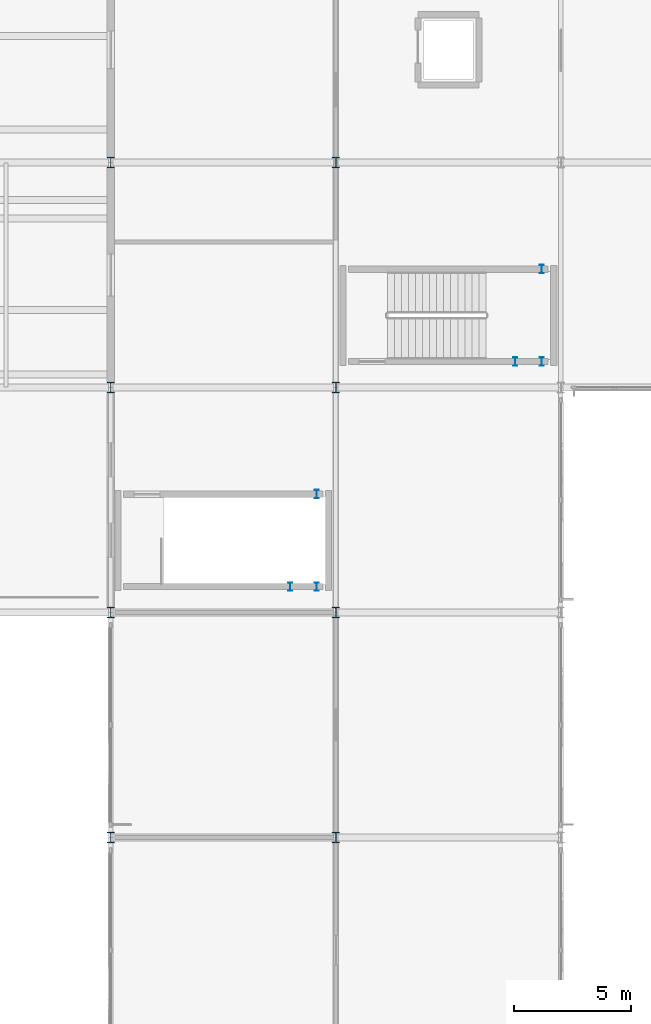
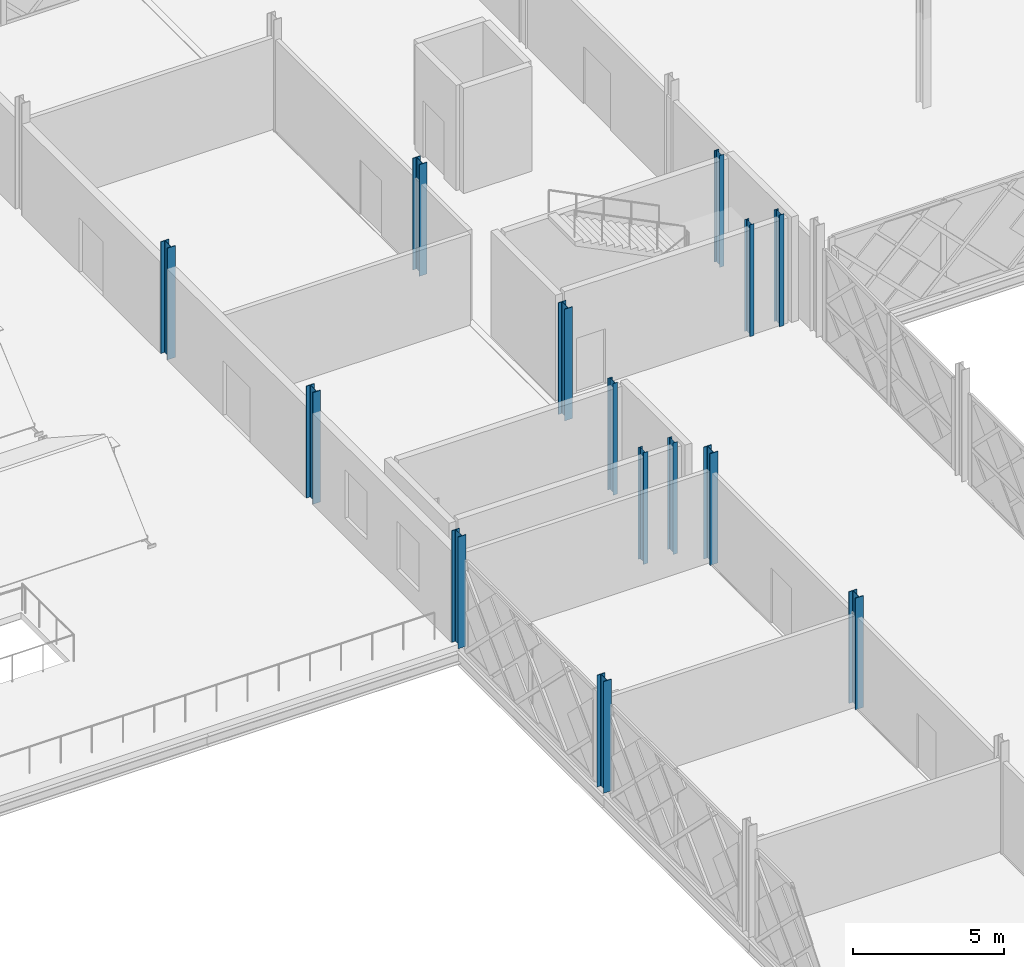
# One storey, part 10 of 101: 14 columns.
"""IFC4 building model written with IfcOpenShell, lengths in metres."""

import ifcopenshell
import ifcopenshell.guid

model = None  # the IFC model being written
_history = None  # IfcOwnerHistory: only IFC2X3 demands one
_inside = {}  # id of a spatial element -> (the spatial element, [elements in it])
_under = {}  # id of a project, library or spatial element -> (it, [spatial elements below it])
_declared = {}  # id of a project -> (the project, [libraries it declares])
_typed = {}  # id of a type object -> (the type object, [elements of that type])
_made_of = {}  # id of a material, layer set ... -> (it, [elements and type objects made of it])


def new_model(schema):
    """Start an empty IFC model of exactly this schema.

    Asked for "IFC4X3", IfcOpenShell would pick the latest addendum, in which some entities
    have other attributes; the version numbers below select the first issue.
    IFC2X3 requires an IfcOwnerHistory on every rooted entity: one is made here for all.
    """
    global model, _history
    if schema == "IFC4X3":
        model = ifcopenshell.file(schema_version=(4, 3, 0, 0))
    else:
        model = ifcopenshell.file(schema=schema)
    _inside.clear()
    _under.clear()
    _declared.clear()
    _typed.clear()
    _made_of.clear()
    _history = None
    if model.schema == "IFC2X3":
        org = make("IfcOrganization", Name="unknown")
        user = make(
            "IfcPersonAndOrganization",
            ThePerson=make("IfcPerson", FamilyName="unknown"),
            TheOrganization=org,
        )
        app = make(
            "IfcApplication",
            ApplicationDeveloper=org,
            Version="unknown",
            ApplicationFullName="unknown",
            ApplicationIdentifier="unknown",
        )
        _history = make(
            "IfcOwnerHistory",
            OwningUser=user,
            OwningApplication=app,
            ChangeAction="ADDED",
            CreationDate=0,
        )
    return model


def make(cls, **values):
    """One entity of the class cls with the attributes given. An attribute that is None is left unset."""
    return model.create_entity(
        cls, **{name: value for name, value in values.items() if value is not None}
    )


def rooted(cls, **values):
    """An entity with a GlobalId (a new one), such as an element, a storey or a relation."""
    return make(cls, GlobalId=ifcopenshell.guid.new(), OwnerHistory=_history, **values)


def si_unit(unit_type, name, prefix=None):
    """IfcSIUnit, for example si_unit("LENGTHUNIT", "METRE", prefix="MILLI")."""
    return make("IfcSIUnit", UnitType=unit_type, Prefix=prefix, Name=name)


def assignment(units):
    """IfcUnitAssignment: the units of a project."""
    return None if units is None else make("IfcUnitAssignment", Units=units)


def point(xyz):
    """IfcCartesianPoint."""
    return None if xyz is None else make("IfcCartesianPoint", Coordinates=xyz)


def direction(xyz):
    """IfcDirection."""
    return None if xyz is None else make("IfcDirection", DirectionRatios=xyz)


def frame(location, z_axis=None, x_axis=None):
    """IfcAxis2Placement3D, a coordinate frame: its origin and axes. An axis left out is left unset."""
    return make(
        "IfcAxis2Placement3D",
        Location=point(location),
        Axis=direction(z_axis),
        RefDirection=direction(x_axis),
    )


def frame_2d(location, x_axis=None):
    """IfcAxis2Placement2D, a coordinate frame in the plane: its origin and x axis."""
    return make(
        "IfcAxis2Placement2D", Location=point(location), RefDirection=direction(x_axis)
    )


def origin():
    """The frame at (0, 0, 0) with its axes left unset."""
    return frame((0.0, 0.0, 0.0))


def origin_2d():
    """The frame at (0, 0) in the plane with its x axis left unset."""
    return frame_2d((0.0, 0.0))


def place(relative_to, where):
    """IfcLocalPlacement: puts the frame where relative to a parent placement (None: the world)."""
    return make(
        "IfcLocalPlacement", PlacementRelTo=relative_to, RelativePlacement=where
    )


def context(
    kind, dimensions, precision=None, world=None, true_north=None, identifier=None
):
    """IfcGeometricRepresentationContext, for example the 3D "Model" context."""
    return make(
        "IfcGeometricRepresentationContext",
        ContextIdentifier=identifier,
        ContextType=kind,
        CoordinateSpaceDimension=dimensions,
        Precision=precision,
        WorldCoordinateSystem=world,
        TrueNorth=true_north,
    )


def subcontext(parent, identifier, kind, view, scale=None):
    """IfcGeometricRepresentationSubContext, for example "Body" below "Model"."""
    return make(
        "IfcGeometricRepresentationSubContext",
        ContextIdentifier=identifier,
        ContextType=kind,
        ParentContext=parent,
        TargetScale=scale,
        TargetView=view,
    )


def project(units=None, contexts=None):
    """IfcProject with its units and contexts."""
    return rooted(
        "IfcProject",
        Name="project",
        RepresentationContexts=contexts,
        UnitsInContext=assignment(units),
    )


def spatial(cls, under=None, at=None, **own):
    """A site, building, storey or space (cls), placed at a placement, below another one or the project."""
    s = rooted(cls, ObjectPlacement=at, **own)
    if under is not None:
        _under.setdefault(under.id(), (under, []))[1].append(s)
    return s


def profile(cls, at=None, kind="AREA", **sizes):
    """A parametric profile (cls). Its sizes go by their IFC names, for example OverallWidth=200.0."""
    return make(cls, ProfileType=kind, Position=at, **sizes)


def i_section(**sizes):
    """IfcIShapeProfileDef."""
    return profile("IfcIShapeProfileDef", **sizes)


def extrude(swept, where, along, depth):
    """IfcExtrudedAreaSolid: the profile swept, set in the frame where, extruded along a direction by depth."""
    return make(
        "IfcExtrudedAreaSolid",
        SweptArea=swept,
        Position=where,
        ExtrudedDirection=direction(along),
        Depth=depth,
    )


def shape(context_of_items, identifier, shape_type, items):
    """IfcShapeRepresentation: the items that make up one representation, for example the "Body"."""
    return make(
        "IfcShapeRepresentation",
        ContextOfItems=context_of_items,
        RepresentationIdentifier=identifier,
        RepresentationType=shape_type,
        Items=items,
    )


def material(Name=None, Category=None):
    """IfcMaterial."""
    return make("IfcMaterial", Name=Name, Category=Category)


def material_profile(
    of_material, cross_section, Name=None, Category=None, Priority=None
):
    """IfcMaterialProfile: a cross section and its material."""
    return make(
        "IfcMaterialProfile",
        Name=Name,
        Material=of_material,
        Profile=cross_section,
        Priority=Priority,
        Category=Category,
    )


def profile_set(profiles, Name=None, composite=None):
    """IfcMaterialProfileSet."""
    return make(
        "IfcMaterialProfileSet",
        Name=Name,
        MaterialProfiles=profiles,
        CompositeProfile=composite,
    )


def made_of(thing, what):
    """Note that an element or type object is made of a material, layer set ...; save() writes the relation."""
    if what is not None:
        _made_of.setdefault(what.id(), (what, []))[1].append(thing)
    return thing


def type_object(cls, material=None, **own):
    """A type object (cls), such as IfcWallType, which elements share."""
    return made_of(rooted(cls, **own), material)


def element(
    cls,
    number,
    at=None,
    inside=None,
    cuts=None,
    type_object=None,
    material=None,
    context=None,
    identifier="Body",
    shape_type=None,
    held_by="IfcProductDefinitionShape",
    body=None,
    shapes=None,
    **own,
):
    """One element of the class cls, such as IfcWall. Its Tag is "e" and its number.

    at: its placement. inside: the storey or other place that contains it. cuts: it is an
    opening in that element (IfcRelVoidsElement). A single representation is given by context,
    identifier, shape_type and body (its items); several are given by shapes. held_by: the class
    of the entity that holds the representations. save() writes the other relations.
    """
    e = rooted(cls, Tag="e%d" % number, ObjectPlacement=at, **own)
    if body is not None:
        shapes = [shape(context, identifier, shape_type, body)]
    if shapes is not None:
        e.Representation = make(held_by, Representations=shapes)
    if inside is not None:
        _inside.setdefault(inside.id(), (inside, []))[1].append(e)
    if cuts is not None:
        rooted(
            "IfcRelVoidsElement", RelatingBuildingElement=cuts, RelatedOpeningElement=e
        )
    if type_object is not None:
        _typed.setdefault(type_object.id(), (type_object, []))[1].append(e)
    return made_of(e, material)


def aggregate(whole, parts):
    """IfcRelAggregates: a whole, such as a stair, and the parts it consists of."""
    return rooted("IfcRelAggregates", RelatingObject=whole, RelatedObjects=parts)


def save(model, path):
    """Write the relations noted so far, then the file.

    IfcRelAggregates (storeys below a building ...), IfcRelContainedInSpatialStructure (elements
    in a storey), IfcRelDefinesByType, IfcRelAssociatesMaterial and IfcRelDeclares: one each for
    every whole, place, type object, material and project.
    """
    for whole, parts in _under.values():
        aggregate(whole, parts)
    for where, things in _inside.values():
        rooted(
            "IfcRelContainedInSpatialStructure",
            RelatedElements=things,
            RelatingStructure=where,
        )
    for kind, things in _typed.values():
        rooted("IfcRelDefinesByType", RelatedObjects=things, RelatingType=kind)
    for what, things in _made_of.values():
        rooted("IfcRelAssociatesMaterial", RelatedObjects=things, RelatingMaterial=what)
    for by, libraries in _declared.values():
        rooted("IfcRelDeclares", RelatingContext=by, RelatedDefinitions=libraries)
    model.write(path)


model = new_model("IFC4")

# Units and contexts
model_context = context("Model", 3, precision=1e-05, world=origin(), true_north=direction((0.0, 1.0)))
body_context = subcontext(model_context, "Body", "Model", "MODEL_VIEW")
ifc_project = project(units=[si_unit("LENGTHUNIT", "METRE"), si_unit("AREAUNIT", "SQUARE_METRE"), si_unit("VOLUMEUNIT", "CUBIC_METRE"), si_unit("PLANEANGLEUNIT", "RADIAN"), si_unit("MASSUNIT", "GRAM", prefix="KILO")], contexts=[model_context])

# Site, building, storey
site_placement = place(None, origin())
site = spatial("IfcSite", under=ifc_project, at=site_placement, CompositionType="ELEMENT")
building_placement = place(site_placement, origin())
building = spatial("IfcBuilding", under=site, at=building_placement, Name="Zevrakil Square Congress Hotel", CompositionType="ELEMENT")
storey_placement = place(building_placement, frame((0.0, 0.0, 5.39990234375)))
storey = spatial("IfcBuildingStorey", under=building, at=storey_placement, Name="L02", CompositionType="ELEMENT", Elevation=5.39990234375)

# Columns
ifc_material_1 = material(Name="Steel S355", Category="steel")
ifc_material_profile_1 = material_profile(ifc_material_1, i_section(OverallWidth=0.300048828125, OverallDepth=0.449951171875, WebThickness=0.013916015625, FlangeThickness=0.02587890625, FilletRadius=0.027099609375, at=origin_2d()), Name="HEB 450")
ifc_profile_set_1 = profile_set([ifc_material_profile_1], Name="Steel S355")
column_type_1 = type_object("IfcColumnType", Name="COL-HEB450", PredefinedType="COLUMN", material=ifc_profile_set_1)
for number, where, z_axis, x_axis, name in (
    (1, (45.60009765625, 64.800048828125, 0.0), (0.0, 0.0, 1.0), (1.0, 0.0, 0.0), "L02 column C-074"),
    (2, (45.60009765625, 74.39990234375, 0.0), (0.0, 0.0, 1.0), (1.0, 0.0, 0.0), "L02 column C-075"),
    (3, (45.60009765625, 84.0, 0.0), (0.0, 0.0, 1.0), (1.0, 0.0, 0.0), "L02 column C-076"),
    (4, (45.60009765625, 93.60009765625, 0.0), (0.0, 0.0, 1.0), (1.0, 0.0, 0.0), "L02 column C-077"),
    (5, (55.199951171875, 64.800048828125, 0.0), (0.0, 0.0, 1.0), (1.0, 0.0, 0.0), "L02 column C-092"),
    (6, (55.199951171875, 74.39990234375, 0.0), (0.0, 0.0, 1.0), (1.0, 0.0, 0.0), "L02 column C-093"),
    (7, (55.199951171875, 84.0, 0.0), (0.0, 0.0, 1.0), (1.0, 0.0, 0.0), "L02 column C-094"),
    (8, (55.199951171875, 93.60009765625, 0.0), (0.0, 0.0, 1.0), (1.0, 0.0, 0.0), "L02 column C-095"),
):
    element("IfcColumn", number, at=place(storey_placement, frame(where, z_axis=z_axis, x_axis=x_axis)), inside=storey, type_object=column_type_1, Name=name, PredefinedType="COLUMN", context=body_context, shape_type="SweptSolid", body=[
        extrude(i_section(OverallWidth=0.300048828125, OverallDepth=0.449951171875, WebThickness=0.013916015625, FlangeThickness=0.02587890625, FilletRadius=0.027099609375, at=origin_2d()), origin(), (0.0, 0.0, 1.0), 4.5),
    ])
ifc_material_2 = material(Name="Steel S355", Category="steel")
ifc_material_profile_2 = material_profile(ifc_material_2, i_section(OverallWidth=0.169921875, OverallDepth=0.360107421875, WebThickness=0.008056640625, FlangeThickness=0.0126953125, FilletRadius=0.01806640625, at=origin_2d()), Name="IPE 360")
ifc_profile_set_2 = profile_set([ifc_material_profile_2], Name="Steel S355")
column_type_2 = type_object("IfcColumnType", Name="COL-PILASTER-SHS180", PredefinedType="PILASTER", material=ifc_profile_set_2)
for number, where, z_axis, x_axis, name in (
    (9, (62.85009765625, 85.10009765625, 0.0), (0.0, 0.0, 1.0), (1.0, 0.0, 0.0), "L02 ST05 stair shaft post 1"),
    (10, (63.97998046875, 85.10009765625, 0.0), (0.0, 0.0, 1.0), (1.0, 0.0, 0.0), "L02 ST05 stair shaft post 2"),
    (11, (63.97998046875, 89.050048828125, 0.0), (0.0, 0.0, 1.0), (1.0, 0.0, 0.0), "L02 ST05 stair shaft post 3"),
    (12, (53.25, 75.5, 0.0), (0.0, 0.0, 1.0), (1.0, 0.0, 0.0), "L02 ST14 stair shaft post 1"),
    (13, (54.3798828125, 75.5, 0.0), (0.0, 0.0, 1.0), (1.0, 0.0, 0.0), "L02 ST14 stair shaft post 2"),
    (14, (54.3798828125, 79.449951171875, 0.0), (0.0, 0.0, 1.0), (1.0, 0.0, 0.0), "L02 ST14 stair shaft post 3"),
):
    element("IfcColumn", number, at=place(storey_placement, frame(where, z_axis=z_axis, x_axis=x_axis)), inside=storey, type_object=column_type_2, Name=name, PredefinedType="PILASTER", context=body_context, shape_type="SweptSolid", body=[
        extrude(i_section(OverallWidth=0.169921875, OverallDepth=0.360107421875, WebThickness=0.008056640625, FlangeThickness=0.0126953125, FilletRadius=0.01806640625, at=origin_2d()), origin(), (0.0, 0.0, 1.0), 4.5),
    ])

save(model, "model.ifc")
